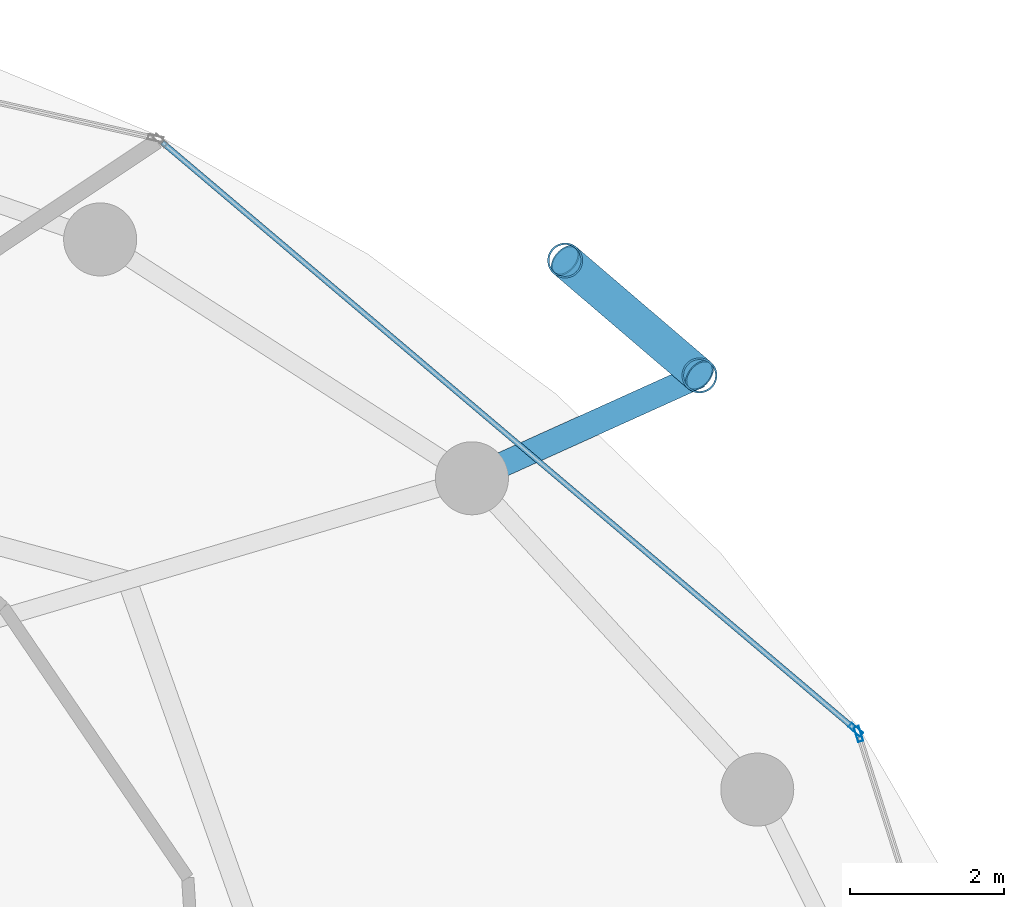
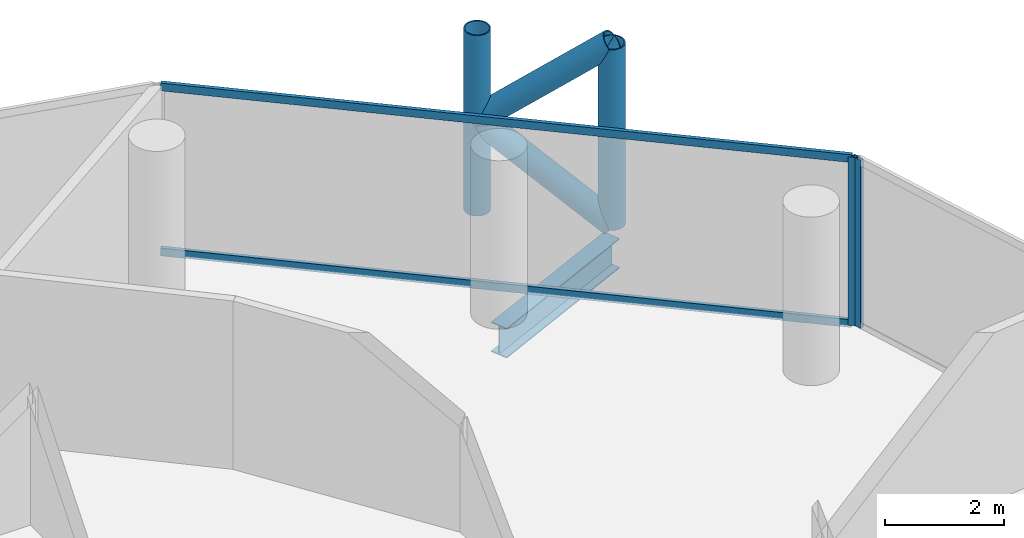
# One storey, part 19 of 26: 8 members, 1 beam, 2 elements without a shape of their own.
"""IFC4 building model written with IfcOpenShell, lengths in metres."""

from ifc_helpers import new_model, si_unit, direction, frame, origin, origin_2d, place, context, subcontext, project, spatial, hollow_rectangle, hollow_circle, i_section, extrude, material, layer, layer_set, material_profile, profile_set, type_object, element, aggregate, save


model = new_model("IFC4")

# Units and contexts
model_context = context("Model", 3, precision=1e-05, world=origin(), true_north=direction((0.0, 1.0)))
body_context = subcontext(model_context, "Body", "Model", "MODEL_VIEW")
ifc_project = project(units=[si_unit("LENGTHUNIT", "METRE"), si_unit("AREAUNIT", "SQUARE_METRE"), si_unit("VOLUMEUNIT", "CUBIC_METRE"), si_unit("PLANEANGLEUNIT", "RADIAN"), si_unit("MASSUNIT", "GRAM", prefix="KILO")], contexts=[model_context])

# Site, building, storey
site_placement = place(None, origin())
site = spatial("IfcSite", under=ifc_project, at=site_placement, CompositionType="ELEMENT")
building_placement = place(site_placement, origin())
building = spatial("IfcBuilding", under=site, at=building_placement, Name="Nuhasar Tower", CompositionType="ELEMENT")
storey_placement = place(building_placement, frame((0.0, 0.0, 136.75)))
storey = spatial("IfcBuildingStorey", under=building, at=storey_placement, Name="L32", CompositionType="ELEMENT", Elevation=136.75)

# Beam
ifc_material_1 = material(Name="Steel S355", Category="steel")
ifc_material_profile_1 = material_profile(ifc_material_1, i_section(OverallWidth=0.323974609375, OverallDepth=0.611083984375, WebThickness=0.0126953125, FlangeThickness=0.01904296875, at=origin_2d()), Name="W24X104")
ifc_profile_set_1 = profile_set([ifc_material_profile_1], Name="Steel S355")
beam_type = type_object("IfcBeamType", Name="BM-TIE-W24X104", PredefinedType="BEAM", material=ifc_profile_set_1)
beam_placement = place(storey_placement, frame((55.510986328125, 40.6240234375, -0.554931640625), z_axis=(0.911239591969, 0.411876687891, 0.0), x_axis=(-0.411876687891, 0.911239591969, 0.0)))
element("IfcBeam", 1, at=beam_placement, inside=storey, type_object=beam_type, Name="L32 Exoskeleton Node Tie Beam 02", PredefinedType="BEAM", context=body_context, shape_type="SweptSolid", body=[
    extrude(i_section(OverallWidth=0.323974609375, OverallDepth=0.611083984375, WebThickness=0.0126953125, FlangeThickness=0.01904296875, at=origin_2d()), origin(), (0.0, 0.0, 1.0), 3.248291015625),
])

# Curtain wall, member
ifc_material_2 = material(Name="Aluminium 6063-T6", Category="aluminium")
ifc_layer = layer(ifc_material_2, 0.199951171875)
ifc_layer_set = layer_set([ifc_layer], Name="Aluminium 6063-T6")
curtain_wall_type = type_object("IfcCurtainWallType", Name="CW-Z2-HTL", PredefinedType="NOTDEFINED", material=ifc_layer_set)
curtain_wall_1_placement = place(storey_placement, origin())
curtain_wall_1 = element("IfcCurtainWall", 2, at=curtain_wall_1_placement, inside=storey, type_object=curtain_wall_type, Name="L32 Unitised Curtain Wall 01", PredefinedType="NOTDEFINED")
ifc_material_profile_2 = material_profile(ifc_material_2, hollow_rectangle(XDim=0.070068359375, YDim=0.199951171875, WallThickness=0.0048828125, at=origin_2d()), Name="CWM-3")
ifc_profile_set_2 = profile_set([ifc_material_profile_2], Name="Aluminium 6063-T6")
member_type_1 = type_object("IfcMemberType", Name="CW-MUL-S3", PredefinedType="MULLION", material=ifc_profile_set_2)
member_1_placement = place(storey_placement, frame((60.53955078125, 37.296630859375, 0.0), z_axis=(0.0, 0.0, 1.0), x_axis=(-0.953433389233, -0.301603667577, 0.0)))
member_1 = element("IfcMember", 3, at=member_1_placement, type_object=member_type_1, Name="CW-Z2 mullion 2", PredefinedType="MULLION", context=body_context, shape_type="SweptSolid", body=[
    extrude(hollow_rectangle(XDim=0.070068359375, YDim=0.199951171875, WallThickness=0.0048828125, at=origin_2d()), origin(), (0.0, 0.0, 1.0), 3.449951171875),
])
aggregate(curtain_wall_1, [member_1])

# Curtain wall, members
curtain_wall_2_placement = place(storey_placement, origin())
curtain_wall_2 = element("IfcCurtainWall", 4, at=curtain_wall_2_placement, inside=storey, type_object=curtain_wall_type, Name="L32 Unitised Curtain Wall 02", PredefinedType="NOTDEFINED")
member_2_placement = place(storey_placement, frame((60.502197265625, 37.3525390625, 0.0), z_axis=(0.0, 0.0, 1.0), x_axis=(-0.646374438324, -0.763020370292, 0.0)))
member_2 = element("IfcMember", 5, at=member_2_placement, type_object=member_type_1, Name="CW-Z2 mullion 1", PredefinedType="MULLION", context=body_context, shape_type="SweptSolid", body=[
    extrude(hollow_rectangle(XDim=0.070068359375, YDim=0.199951171875, WallThickness=0.0048828125, at=origin_2d()), origin(), (0.0, 0.0, 1.0), 3.449951171875),
])
ifc_material_profile_3 = material_profile(ifc_material_2, hollow_rectangle(XDim=0.070068359375, YDim=0.159912109375, WallThickness=0.00439453125, at=origin_2d()), Name="CWT-3")
ifc_profile_set_3 = profile_set([ifc_material_profile_3], Name="Aluminium 6063-T6")
member_type_2 = type_object("IfcMemberType", Name="CW-TRN-S3", PredefinedType="USERDEFINED", material=ifc_profile_set_3)
member_3_placement = place(storey_placement, frame((60.4755859375, 37.375244140625, 0.034912109375), z_axis=(-0.763023915269, 0.646370253592, 0.0), x_axis=(-0.646370253592, -0.763023915269, 0.0)))
member_3 = element("IfcMember", 6, at=member_3_placement, type_object=member_type_2, Name="CW-Z2 transom 1.1", ObjectType="TRANSOM", PredefinedType="USERDEFINED", context=body_context, shape_type="SweptSolid", body=[
    extrude(hollow_rectangle(XDim=0.070068359375, YDim=0.159912109375, WallThickness=0.00439453125, at=origin_2d()), origin(), (0.0, 0.0, 1.0), 11.784912109375),
])
member_4_placement = place(storey_placement, frame((60.4755859375, 37.375244140625, 3.4150390625), z_axis=(-0.763023915269, 0.646370253592, 0.0), x_axis=(-0.646370253592, -0.763023915269, 0.0)))
member_4 = element("IfcMember", 7, at=member_4_placement, type_object=member_type_2, Name="CW-Z2 transom 1.2", ObjectType="TRANSOM", PredefinedType="USERDEFINED", context=body_context, shape_type="SweptSolid", body=[
    extrude(hollow_rectangle(XDim=0.070068359375, YDim=0.159912109375, WallThickness=0.00439453125, at=origin_2d()), origin(), (0.0, 0.0, 1.0), 11.784912109375),
])
aggregate(curtain_wall_2, [member_2, member_3, member_4])

# Members
ifc_material_3 = material(Name="Steel S460", Category="steel")
ifc_material_profile_4 = material_profile(ifc_material_3, hollow_circle(Radius=0.228515625, WallThickness=0.022216796875, at=origin_2d()), Name="HSS457X22.2")
ifc_profile_set_4 = profile_set([ifc_material_profile_4], Name="Steel S460")
member_type_3 = type_object("IfcMemberType", Name="EXO-BRONZE-457", PredefinedType="BRACE", material=ifc_profile_set_4)
for number, where, z_axis, x_axis, name in (
    (8, (58.470947265625, 41.9619140625, 0.0), (0.0, 0.0, 1.0), (1.0, 0.0, 0.0), "L32 Exoskeleton Chord Column EC-02A"),
    (9, (56.722900390625, 43.45703125, 0.0), (0.0, 0.0, 1.0), (1.0, 0.0, 0.0), "L32 Exoskeleton Chord Column EC-02B"),
):
    element("IfcMember", number, at=place(storey_placement, frame(where, z_axis=z_axis, x_axis=x_axis)), inside=storey, type_object=member_type_3, Name=name, PredefinedType="BRACE", context=body_context, shape_type="SweptSolid", body=[
        extrude(hollow_circle(Radius=0.228515625, WallThickness=0.022216796875, at=origin_2d()), origin(), (0.0, 0.0, 1.0), 3.699951171875),
    ])
member_5_placement = place(storey_placement, frame((58.470947265625, 41.9619140625, 0.0), z_axis=(-0.592170370358, 0.506487618445, 0.626741210415), x_axis=(-0.649986859795, -0.759945446788, 0.0)))
element("IfcMember", 10, at=member_5_placement, inside=storey, type_object=member_type_3, Name="L32 Bronze Diagrid Brace W1-02", PredefinedType="BRACE", context=body_context, shape_type="SweptSolid", body=[
    extrude(hollow_circle(Radius=0.228515625, WallThickness=0.022216796875, at=origin_2d()), origin(), (0.0, 0.0, 1.0), 2.951904296875),
])
member_6_placement = place(storey_placement, frame((56.722900390625, 43.45703125, 1.85009765625), z_axis=(0.592201065785, -0.506513872468, 0.626690988192), x_axis=(0.649986859795, 0.759945446788, 0.0)))
element("IfcMember", 11, at=member_6_placement, inside=storey, type_object=member_type_3, Name="L32 Bronze Diagrid Brace W2-02", PredefinedType="BRACE", context=body_context, shape_type="SweptSolid", body=[
    extrude(hollow_circle(Radius=0.228515625, WallThickness=0.022216796875, at=origin_2d()), origin(), (0.0, 0.0, 1.0), 2.95166015625),
])

save(model, "model.ifc")
